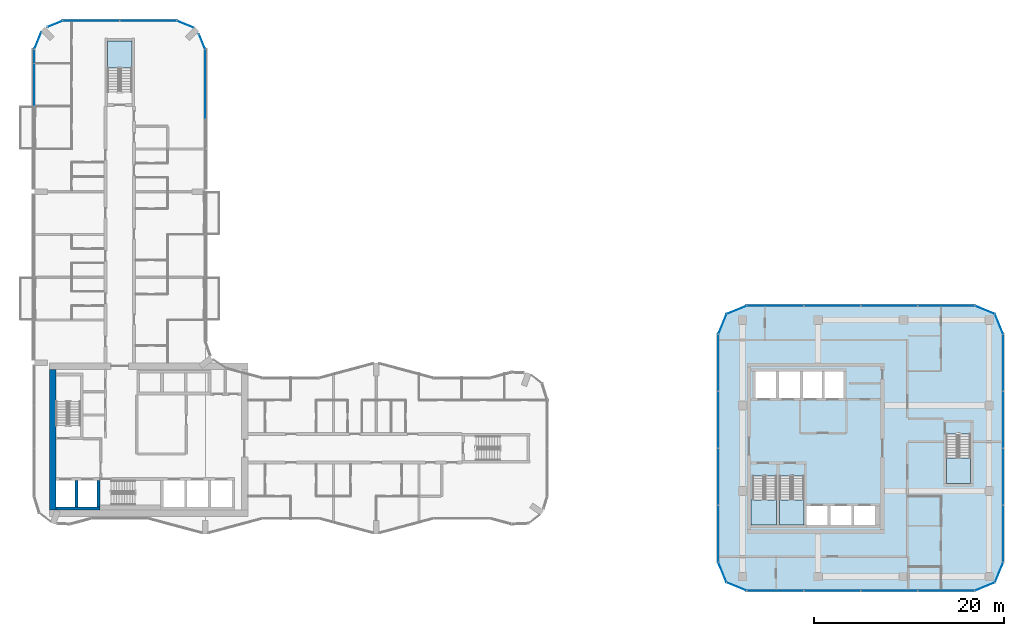
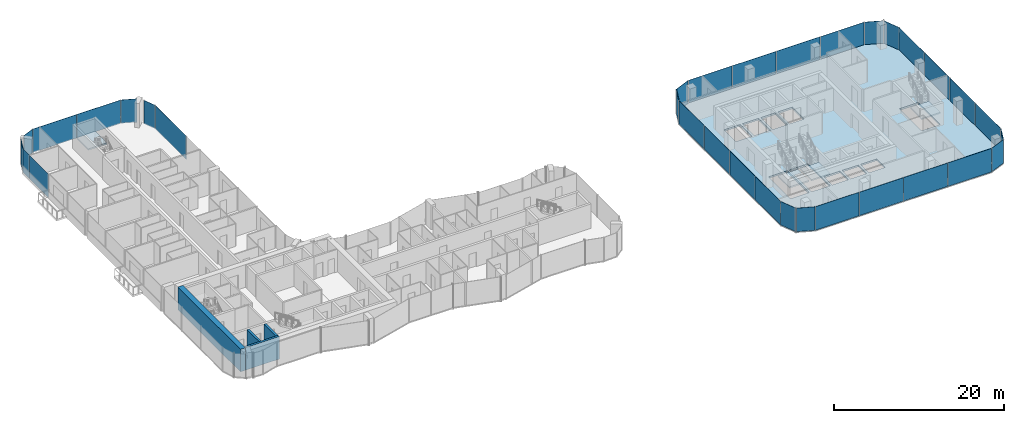
# One storey, part 12 of 23: 33 plates, 5 slabs, 4 walls, 23 elements without a shape of their own.
"""IFC4 building model written with IfcOpenShell, lengths in metres."""

from ifc_helpers import new_model, si_unit, direction, frame, frame_2d, origin, origin_2d, place, context, subcontext, project, spatial, polyline, rectangle, outline, extrude, material, layer, layer_set, type_object, element, aggregate, save


model = new_model("IFC4")

# Units and contexts
model_context = context("Model", 3, precision=1e-05, world=origin(), true_north=direction((0.0, 1.0)))
body_context = subcontext(model_context, "Body", "Model", "MODEL_VIEW")
ifc_project = project(units=[si_unit("LENGTHUNIT", "METRE"), si_unit("AREAUNIT", "SQUARE_METRE"), si_unit("VOLUMEUNIT", "CUBIC_METRE"), si_unit("PLANEANGLEUNIT", "RADIAN"), si_unit("MASSUNIT", "GRAM", prefix="KILO")], contexts=[model_context])

# Site, building, storey
site_placement = place(None, origin())
site = spatial("IfcSite", under=ifc_project, at=site_placement, CompositionType="ELEMENT")
building_placement = place(site_placement, origin())
building = spatial("IfcBuilding", under=site, at=building_placement, Name="Plateau Cross Towers", CompositionType="ELEMENT")
storey_placement = place(building_placement, frame((0.0, 0.0, 85.300048828125)))
storey = spatial("IfcBuildingStorey", under=building, at=storey_placement, Name="L21", CompositionType="ELEMENT", Elevation=85.300048828125)

# Curtain wall, plates
ifc_material_1 = material(Name="Dark low-iron glass", Category="glass")
ifc_layer_1 = layer(ifc_material_1, 0.239990234375)
ifc_layer_set_1 = layer_set([ifc_layer_1], Name="Dark low-iron glass")
curtain_wall_type_1 = type_object("IfcCurtainWallType", Name="Curtain wall office unitised CW-F", PredefinedType="NOTDEFINED", material=ifc_layer_set_1)
curtain_wall_1_placement = place(storey_placement, origin())
curtain_wall_1 = element("IfcCurtainWall", 1, at=curtain_wall_1_placement, inside=storey, type_object=curtain_wall_type_1, Name="ENV/B/L21/B750_-60", PredefinedType="NOTDEFINED")
ifc_layer_2 = layer(ifc_material_1, 0.028076171875)
ifc_layer_set_2 = layer_set([ifc_layer_2], Name="Dark low-iron glass")
plate_type_1 = type_object("IfcPlateType", Name="Glass panel 28 office unitised", PredefinedType="CURTAIN_PANEL", material=ifc_layer_set_2)
plate_1_placement = place(storey_placement, frame((78.0, -6.0, -0.1298828125), z_axis=(0.0, 0.0, 1.0), x_axis=(1.0, 0.0, 0.0)))
plate_1 = element("IfcPlate", 2, at=plate_1_placement, type_object=plate_type_1, Name="CW-F panel 1", PredefinedType="CURTAIN_PANEL", context=body_context, shape_type="SweptSolid", body=[
    extrude(rectangle(XDim=5.93994140625, YDim=0.028076171875, at=origin_2d()), origin(), (0.0, 0.0, 1.0), 3.3798828125),
])
plate_2_placement = place(storey_placement, frame((84.0, -6.0, -0.1298828125), z_axis=(0.0, 0.0, 1.0), x_axis=(1.0, 0.0, 0.0)))
plate_2 = element("IfcPlate", 3, at=plate_2_placement, type_object=plate_type_1, Name="CW-F panel 2", PredefinedType="CURTAIN_PANEL", context=body_context, shape_type="SweptSolid", body=[
    extrude(rectangle(XDim=5.93994140625, YDim=0.028076171875, at=origin_2d()), origin(), (0.0, 0.0, 1.0), 3.3798828125),
])
plate_3_placement = place(storey_placement, frame((90.0, -6.0, -0.1298828125), z_axis=(0.0, 0.0, 1.0), x_axis=(1.0, 0.0, 0.0)))
plate_3 = element("IfcPlate", 4, at=plate_3_placement, type_object=plate_type_1, Name="CW-F panel 3", PredefinedType="CURTAIN_PANEL", context=body_context, shape_type="SweptSolid", body=[
    extrude(rectangle(XDim=5.93994140625, YDim=0.028076171875, at=origin_2d()), origin(), (0.0, 0.0, 1.0), 3.3798828125),
])
plate_4_placement = place(storey_placement, frame((96.0, -6.0, -0.1298828125), z_axis=(0.0, 0.0, 1.0), x_axis=(1.0, 0.0, 0.0)))
plate_4 = element("IfcPlate", 5, at=plate_4_placement, type_object=plate_type_1, Name="CW-F panel 4", PredefinedType="CURTAIN_PANEL", context=body_context, shape_type="SweptSolid", body=[
    extrude(rectangle(XDim=5.93994140625, YDim=0.028076171875, at=origin_2d()), origin(), (0.0, 0.0, 1.0), 3.3798828125),
])
aggregate(curtain_wall_1, [plate_1, plate_2, plate_3, plate_4])

# Curtain wall, plate
curtain_wall_2_placement = place(storey_placement, origin())
curtain_wall_2 = element("IfcCurtainWall", 6, at=curtain_wall_2_placement, inside=storey, type_object=curtain_wall_type_1, Name="ENV/B/L21/B990_-60", PredefinedType="NOTDEFINED")
plate_5_placement = place(storey_placement, frame((100.060546875, -5.560546875, -0.1298828125), z_axis=(0.0, 0.0, 1.0), x_axis=(0.923879457699, 0.382683612978, 0.0)))
plate_5 = element("IfcPlate", 7, at=plate_5_placement, type_object=plate_type_1, Name="CW-F panel 1", PredefinedType="CURTAIN_PANEL", context=body_context, shape_type="SweptSolid", body=[
    extrude(rectangle(XDim=2.236083984375, YDim=0.028076171875, at=origin_2d()), origin(), (0.0, 0.0, 1.0), 3.3798828125),
])
aggregate(curtain_wall_2, [plate_5])

curtain_wall_3_placement = place(storey_placement, origin())
curtain_wall_3 = element("IfcCurtainWall", 8, at=curtain_wall_3_placement, inside=storey, type_object=curtain_wall_type_1, Name="ENV/B/L21/B1011_-51", PredefinedType="NOTDEFINED")
plate_6_placement = place(storey_placement, frame((101.560546875, -4.060546875, -0.1298828125), z_axis=(0.0, 0.0, 1.0), x_axis=(0.382683612978, 0.923879457699, 0.0)))
plate_6 = element("IfcPlate", 9, at=plate_6_placement, type_object=plate_type_1, Name="CW-F panel 1", PredefinedType="CURTAIN_PANEL", context=body_context, shape_type="SweptSolid", body=[
    extrude(rectangle(XDim=2.236083984375, YDim=0.028076171875, at=origin_2d()), origin(), (0.0, 0.0, 1.0), 3.3798828125),
])
aggregate(curtain_wall_3, [plate_6])

# Curtain wall, plates
curtain_wall_4_placement = place(storey_placement, origin())
curtain_wall_4 = element("IfcCurtainWall", 10, at=curtain_wall_4_placement, inside=storey, type_object=curtain_wall_type_1, Name="ENV/B/L21/B1020_-30", PredefinedType="NOTDEFINED")
plate_7_placement = place(storey_placement, frame((102.0, 0.0, -0.1298828125), z_axis=(0.0, 0.0, 1.0), x_axis=(0.0, 1.0, 0.0)))
plate_7 = element("IfcPlate", 11, at=plate_7_placement, type_object=plate_type_1, Name="CW-F panel 1", PredefinedType="CURTAIN_PANEL", context=body_context, shape_type="SweptSolid", body=[
    extrude(rectangle(XDim=5.93994140625, YDim=0.028076171875, at=origin_2d()), origin(), (0.0, 0.0, 1.0), 3.3798828125),
])
plate_8_placement = place(storey_placement, frame((102.0, 6.0, -0.1298828125), z_axis=(0.0, 0.0, 1.0), x_axis=(0.0, 1.0, 0.0)))
plate_8 = element("IfcPlate", 12, at=plate_8_placement, type_object=plate_type_1, Name="CW-F panel 2", PredefinedType="CURTAIN_PANEL", context=body_context, shape_type="SweptSolid", body=[
    extrude(rectangle(XDim=5.93994140625, YDim=0.028076171875, at=origin_2d()), origin(), (0.0, 0.0, 1.0), 3.3798828125),
])
plate_9_placement = place(storey_placement, frame((102.0, 12.0, -0.1298828125), z_axis=(0.0, 0.0, 1.0), x_axis=(0.0, 1.0, 0.0)))
plate_9 = element("IfcPlate", 13, at=plate_9_placement, type_object=plate_type_1, Name="CW-F panel 3", PredefinedType="CURTAIN_PANEL", context=body_context, shape_type="SweptSolid", body=[
    extrude(rectangle(XDim=5.93994140625, YDim=0.028076171875, at=origin_2d()), origin(), (0.0, 0.0, 1.0), 3.3798828125),
])
plate_10_placement = place(storey_placement, frame((102.0, 18.0, -0.1298828125), z_axis=(0.0, 0.0, 1.0), x_axis=(0.0, 1.0, 0.0)))
plate_10 = element("IfcPlate", 14, at=plate_10_placement, type_object=plate_type_1, Name="CW-F panel 4", PredefinedType="CURTAIN_PANEL", context=body_context, shape_type="SweptSolid", body=[
    extrude(rectangle(XDim=5.93994140625, YDim=0.028076171875, at=origin_2d()), origin(), (0.0, 0.0, 1.0), 3.3798828125),
])
aggregate(curtain_wall_4, [plate_7, plate_8, plate_9, plate_10])

# Curtain wall, plate
curtain_wall_5_placement = place(storey_placement, origin())
curtain_wall_5 = element("IfcCurtainWall", 15, at=curtain_wall_5_placement, inside=storey, type_object=curtain_wall_type_1, Name="ENV/B/L21/B1020_210", PredefinedType="NOTDEFINED")
plate_11_placement = place(storey_placement, frame((101.560546875, 22.060546875, -0.1298828125), z_axis=(0.0, 0.0, 1.0), x_axis=(-0.382683612978, 0.923879457699, 0.0)))
plate_11 = element("IfcPlate", 16, at=plate_11_placement, type_object=plate_type_1, Name="CW-F panel 1", PredefinedType="CURTAIN_PANEL", context=body_context, shape_type="SweptSolid", body=[
    extrude(rectangle(XDim=2.236083984375, YDim=0.028076171875, at=origin_2d()), origin(), (0.0, 0.0, 1.0), 3.3798828125),
])
aggregate(curtain_wall_5, [plate_11])

curtain_wall_6_placement = place(storey_placement, origin())
curtain_wall_6 = element("IfcCurtainWall", 17, at=curtain_wall_6_placement, inside=storey, type_object=curtain_wall_type_1, Name="ENV/B/L21/B1011_231", PredefinedType="NOTDEFINED")
plate_12_placement = place(storey_placement, frame((100.060546875, 23.560546875, -0.1298828125), z_axis=(0.0, 0.0, 1.0), x_axis=(-0.923879457699, 0.382683612978, 0.0)))
plate_12 = element("IfcPlate", 18, at=plate_12_placement, type_object=plate_type_1, Name="CW-F panel 1", PredefinedType="CURTAIN_PANEL", context=body_context, shape_type="SweptSolid", body=[
    extrude(rectangle(XDim=2.236083984375, YDim=0.028076171875, at=origin_2d()), origin(), (0.0, 0.0, 1.0), 3.3798828125),
])
aggregate(curtain_wall_6, [plate_12])

# Curtain wall, plates
curtain_wall_7_placement = place(storey_placement, origin())
curtain_wall_7 = element("IfcCurtainWall", 19, at=curtain_wall_7_placement, inside=storey, type_object=curtain_wall_type_1, Name="ENV/B/L21/B990_240", PredefinedType="NOTDEFINED")
plate_13_placement = place(storey_placement, frame((96.0, 24.0, -0.1298828125), z_axis=(0.0, 0.0, 1.0), x_axis=(-1.0, 0.0, 0.0)))
plate_13 = element("IfcPlate", 20, at=plate_13_placement, type_object=plate_type_1, Name="CW-F panel 1", PredefinedType="CURTAIN_PANEL", context=body_context, shape_type="SweptSolid", body=[
    extrude(rectangle(XDim=5.93994140625, YDim=0.028076171875, at=origin_2d()), origin(), (0.0, 0.0, 1.0), 3.3798828125),
])
plate_14_placement = place(storey_placement, frame((90.0, 24.0, -0.1298828125), z_axis=(0.0, 0.0, 1.0), x_axis=(-1.0, 0.0, 0.0)))
plate_14 = element("IfcPlate", 21, at=plate_14_placement, type_object=plate_type_1, Name="CW-F panel 2", PredefinedType="CURTAIN_PANEL", context=body_context, shape_type="SweptSolid", body=[
    extrude(rectangle(XDim=5.93994140625, YDim=0.028076171875, at=origin_2d()), origin(), (0.0, 0.0, 1.0), 3.3798828125),
])
plate_15_placement = place(storey_placement, frame((84.0, 24.0, -0.1298828125), z_axis=(0.0, 0.0, 1.0), x_axis=(-1.0, 0.0, 0.0)))
plate_15 = element("IfcPlate", 22, at=plate_15_placement, type_object=plate_type_1, Name="CW-F panel 3", PredefinedType="CURTAIN_PANEL", context=body_context, shape_type="SweptSolid", body=[
    extrude(rectangle(XDim=5.93994140625, YDim=0.028076171875, at=origin_2d()), origin(), (0.0, 0.0, 1.0), 3.3798828125),
])
plate_16_placement = place(storey_placement, frame((78.0, 24.0, -0.1298828125), z_axis=(0.0, 0.0, 1.0), x_axis=(-1.0, 0.0, 0.0)))
plate_16 = element("IfcPlate", 23, at=plate_16_placement, type_object=plate_type_1, Name="CW-F panel 4", PredefinedType="CURTAIN_PANEL", context=body_context, shape_type="SweptSolid", body=[
    extrude(rectangle(XDim=5.93994140625, YDim=0.028076171875, at=origin_2d()), origin(), (0.0, 0.0, 1.0), 3.3798828125),
])
aggregate(curtain_wall_7, [plate_13, plate_14, plate_15, plate_16])

# Curtain wall, plate
curtain_wall_8_placement = place(storey_placement, origin())
curtain_wall_8 = element("IfcCurtainWall", 24, at=curtain_wall_8_placement, inside=storey, type_object=curtain_wall_type_1, Name="ENV/B/L21/B750_240", PredefinedType="NOTDEFINED")
plate_17_placement = place(storey_placement, frame((73.939453125, 23.560546875, -0.1298828125), z_axis=(0.0, 0.0, 1.0), x_axis=(-0.923879457699, -0.382683612978, 0.0)))
plate_17 = element("IfcPlate", 25, at=plate_17_placement, type_object=plate_type_1, Name="CW-F panel 1", PredefinedType="CURTAIN_PANEL", context=body_context, shape_type="SweptSolid", body=[
    extrude(rectangle(XDim=2.236083984375, YDim=0.028076171875, at=origin_2d()), origin(), (0.0, 0.0, 1.0), 3.3798828125),
])
aggregate(curtain_wall_8, [plate_17])

curtain_wall_9_placement = place(storey_placement, origin())
curtain_wall_9 = element("IfcCurtainWall", 26, at=curtain_wall_9_placement, inside=storey, type_object=curtain_wall_type_1, Name="ENV/B/L21/B729_231", PredefinedType="NOTDEFINED")
plate_18_placement = place(storey_placement, frame((72.439453125, 22.060546875, -0.1298828125), z_axis=(0.0, 0.0, 1.0), x_axis=(-0.382683612978, -0.923879457699, 0.0)))
plate_18 = element("IfcPlate", 27, at=plate_18_placement, type_object=plate_type_1, Name="CW-F panel 1", PredefinedType="CURTAIN_PANEL", context=body_context, shape_type="SweptSolid", body=[
    extrude(rectangle(XDim=2.236083984375, YDim=0.028076171875, at=origin_2d()), origin(), (0.0, 0.0, 1.0), 3.3798828125),
])
aggregate(curtain_wall_9, [plate_18])

# Curtain wall, plates
curtain_wall_10_placement = place(storey_placement, origin())
curtain_wall_10 = element("IfcCurtainWall", 28, at=curtain_wall_10_placement, inside=storey, type_object=curtain_wall_type_1, Name="ENV/B/L21/B720_210", PredefinedType="NOTDEFINED")
plate_19_placement = place(storey_placement, frame((72.0, 18.0, -0.1298828125), z_axis=(0.0, 0.0, 1.0), x_axis=(0.0, -1.0, 0.0)))
plate_19 = element("IfcPlate", 29, at=plate_19_placement, type_object=plate_type_1, Name="CW-F panel 1", PredefinedType="CURTAIN_PANEL", context=body_context, shape_type="SweptSolid", body=[
    extrude(rectangle(XDim=5.93994140625, YDim=0.028076171875, at=origin_2d()), origin(), (0.0, 0.0, 1.0), 3.3798828125),
])
plate_20_placement = place(storey_placement, frame((72.0, 12.0, -0.1298828125), z_axis=(0.0, 0.0, 1.0), x_axis=(0.0, -1.0, 0.0)))
plate_20 = element("IfcPlate", 30, at=plate_20_placement, type_object=plate_type_1, Name="CW-F panel 2", PredefinedType="CURTAIN_PANEL", context=body_context, shape_type="SweptSolid", body=[
    extrude(rectangle(XDim=5.93994140625, YDim=0.028076171875, at=origin_2d()), origin(), (0.0, 0.0, 1.0), 3.3798828125),
])
plate_21_placement = place(storey_placement, frame((72.0, 6.0, -0.1298828125), z_axis=(0.0, 0.0, 1.0), x_axis=(0.0, -1.0, 0.0)))
plate_21 = element("IfcPlate", 31, at=plate_21_placement, type_object=plate_type_1, Name="CW-F panel 3", PredefinedType="CURTAIN_PANEL", context=body_context, shape_type="SweptSolid", body=[
    extrude(rectangle(XDim=5.93994140625, YDim=0.028076171875, at=origin_2d()), origin(), (0.0, 0.0, 1.0), 3.3798828125),
])
plate_22_placement = place(storey_placement, frame((72.0, 0.0, -0.1298828125), z_axis=(0.0, 0.0, 1.0), x_axis=(0.0, -1.0, 0.0)))
plate_22 = element("IfcPlate", 32, at=plate_22_placement, type_object=plate_type_1, Name="CW-F panel 4", PredefinedType="CURTAIN_PANEL", context=body_context, shape_type="SweptSolid", body=[
    extrude(rectangle(XDim=5.93994140625, YDim=0.028076171875, at=origin_2d()), origin(), (0.0, 0.0, 1.0), 3.3798828125),
])
aggregate(curtain_wall_10, [plate_19, plate_20, plate_21, plate_22])

# Curtain wall, plate
curtain_wall_11_placement = place(storey_placement, origin())
curtain_wall_11 = element("IfcCurtainWall", 33, at=curtain_wall_11_placement, inside=storey, type_object=curtain_wall_type_1, Name="ENV/B/L21/B720_-30", PredefinedType="NOTDEFINED")
plate_23_placement = place(storey_placement, frame((72.439453125, -4.060546875, -0.1298828125), z_axis=(0.0, 0.0, 1.0), x_axis=(0.382683612978, -0.923879457699, 0.0)))
plate_23 = element("IfcPlate", 34, at=plate_23_placement, type_object=plate_type_1, Name="CW-F panel 1", PredefinedType="CURTAIN_PANEL", context=body_context, shape_type="SweptSolid", body=[
    extrude(rectangle(XDim=2.236083984375, YDim=0.028076171875, at=origin_2d()), origin(), (0.0, 0.0, 1.0), 3.3798828125),
])
aggregate(curtain_wall_11, [plate_23])

curtain_wall_12_placement = place(storey_placement, origin())
curtain_wall_12 = element("IfcCurtainWall", 35, at=curtain_wall_12_placement, inside=storey, type_object=curtain_wall_type_1, Name="ENV/B/L21/B729_-51", PredefinedType="NOTDEFINED")
plate_24_placement = place(storey_placement, frame((73.939453125, -5.560546875, -0.1298828125), z_axis=(0.0, 0.0, 1.0), x_axis=(0.923879457699, -0.382683612978, 0.0)))
plate_24 = element("IfcPlate", 36, at=plate_24_placement, type_object=plate_type_1, Name="CW-F panel 1", PredefinedType="CURTAIN_PANEL", context=body_context, shape_type="SweptSolid", body=[
    extrude(rectangle(XDim=2.236083984375, YDim=0.028076171875, at=origin_2d()), origin(), (0.0, 0.0, 1.0), 3.3798828125),
])
aggregate(curtain_wall_12, [plate_24])

ifc_layer_3 = layer(ifc_material_1, 0.239990234375)
ifc_layer_set_3 = layer_set([ifc_layer_3], Name="Dark low-iron glass")
curtain_wall_type_2 = type_object("IfcCurtainWallType", Name="Curtain wall flush unitised CW-B", PredefinedType="NOTDEFINED", material=ifc_layer_set_3)
curtain_wall_13_placement = place(storey_placement, origin())
curtain_wall_13 = element("IfcCurtainWall", 37, at=curtain_wall_13_placement, inside=storey, type_object=curtain_wall_type_2, Name="ENV/A/L21/A180_363", PredefinedType="NOTDEFINED")
ifc_layer_4 = layer(ifc_material_1, 0.031982421875)
ifc_layer_set_4 = layer_set([ifc_layer_4], Name="Dark low-iron glass")
plate_type_2 = type_object("IfcPlateType", Name="Glass panel 32 flush unitised", PredefinedType="CURTAIN_PANEL", material=ifc_layer_set_4)
plate_25_placement = place(storey_placement, frame((18.0, 47.324951171875, -0.1298828125), z_axis=(0.0, 0.0, 1.0), x_axis=(0.0, 1.0, 0.0)))
plate_25 = element("IfcPlate", 38, at=plate_25_placement, type_object=plate_type_2, Name="CW-B panel 2", PredefinedType="CURTAIN_PANEL", context=body_context, shape_type="SweptSolid", body=[
    extrude(rectangle(XDim=7.2900390625, YDim=0.031982421875, at=origin_2d()), origin(), (0.0, 0.0, 1.0), 3.3798828125),
])
aggregate(curtain_wall_13, [plate_25])

curtain_wall_14_placement = place(storey_placement, origin())
curtain_wall_14 = element("IfcCurtainWall", 39, at=curtain_wall_14_placement, inside=storey, type_object=curtain_wall_type_2, Name="ENV/A/L21/A180_510", PredefinedType="NOTDEFINED")
plate_26_placement = place(storey_placement, frame((17.66943359375, 51.79833984375, -0.1298828125), z_axis=(0.0, 0.0, 1.0), x_axis=(-0.382683612978, 0.923879457699, 0.0)))
plate_26 = element("IfcPlate", 40, at=plate_26_placement, type_object=plate_type_2, Name="CW-B panel 1", PredefinedType="CURTAIN_PANEL", context=body_context, shape_type="SweptSolid", body=[
    extrude(rectangle(XDim=1.668212890625, YDim=0.031982421875, at=origin_2d()), origin(), (0.0, 0.0, 1.0), 3.3798828125),
])
aggregate(curtain_wall_14, [plate_26])

curtain_wall_15_placement = place(storey_placement, origin())
curtain_wall_15 = element("IfcCurtainWall", 41, at=curtain_wall_15_placement, inside=storey, type_object=curtain_wall_type_2, Name="ENV/A/L21/A168_533", PredefinedType="NOTDEFINED")
plate_27_placement = place(storey_placement, frame((15.90283203125, 53.6259765625, -0.1298828125), z_axis=(0.0, 0.0, 1.0), x_axis=(-0.923879457699, 0.382683612978, 0.0)))
plate_27 = element("IfcPlate", 42, at=plate_27_placement, type_object=plate_type_2, Name="CW-B panel 1", PredefinedType="CURTAIN_PANEL", context=body_context, shape_type="SweptSolid", body=[
    extrude(rectangle(XDim=1.894775390625, YDim=0.031982421875, at=origin_2d()), origin(), (0.0, 0.0, 1.0), 3.3798828125),
])
aggregate(curtain_wall_15, [plate_27])

# Curtain wall, plates
curtain_wall_16_placement = place(storey_placement, origin())
curtain_wall_16 = element("IfcCurtainWall", 43, at=curtain_wall_16_placement, inside=storey, type_object=curtain_wall_type_2, Name="ENV/A/L21/A150_540", PredefinedType="NOTDEFINED")
plate_28_placement = place(storey_placement, frame((12.0, 54.0, -0.1298828125), z_axis=(0.0, 0.0, 1.0), x_axis=(-1.0, 0.0, 0.0)))
plate_28 = element("IfcPlate", 44, at=plate_28_placement, type_object=plate_type_2, Name="CW-B panel 1", PredefinedType="CURTAIN_PANEL", context=body_context, shape_type="SweptSolid", body=[
    extrude(rectangle(XDim=5.93994140625, YDim=0.031982421875, at=origin_2d()), origin(), (0.0, 0.0, 1.0), 3.3798828125),
])
plate_29_placement = place(storey_placement, frame((6.0, 54.0, -0.1298828125), z_axis=(0.0, 0.0, 1.0), x_axis=(-1.0, 0.0, 0.0)))
plate_29 = element("IfcPlate", 45, at=plate_29_placement, type_object=plate_type_2, Name="CW-B panel 2", PredefinedType="CURTAIN_PANEL", context=body_context, shape_type="SweptSolid", body=[
    extrude(rectangle(XDim=5.93994140625, YDim=0.031982421875, at=origin_2d()), origin(), (0.0, 0.0, 1.0), 3.3798828125),
])
aggregate(curtain_wall_16, [plate_28, plate_29])

# Curtain wall, plate
curtain_wall_17_placement = place(storey_placement, origin())
curtain_wall_17 = element("IfcCurtainWall", 46, at=curtain_wall_17_placement, inside=storey, type_object=curtain_wall_type_2, Name="ENV/A/L21/A30_540", PredefinedType="NOTDEFINED")
plate_30_placement = place(storey_placement, frame((2.20166015625, 53.66943359375, -0.1298828125), z_axis=(0.0, 0.0, 1.0), x_axis=(-0.923879457699, -0.382683612978, 0.0)))
plate_30 = element("IfcPlate", 47, at=plate_30_placement, type_object=plate_type_2, Name="CW-B panel 1", PredefinedType="CURTAIN_PANEL", context=body_context, shape_type="SweptSolid", body=[
    extrude(rectangle(XDim=1.668212890625, YDim=0.031982421875, at=origin_2d()), origin(), (0.0, 0.0, 1.0), 3.3798828125),
])
aggregate(curtain_wall_17, [plate_30])

curtain_wall_18_placement = place(storey_placement, origin())
curtain_wall_18 = element("IfcCurtainWall", 48, at=curtain_wall_18_placement, inside=storey, type_object=curtain_wall_type_2, Name="ENV/A/L21/A7_528", PredefinedType="NOTDEFINED")
plate_31_placement = place(storey_placement, frame((0.3740234375, 51.90283203125, -0.1298828125), z_axis=(0.0, 0.0, 1.0), x_axis=(-0.382683612978, -0.923879457699, 0.0)))
plate_31 = element("IfcPlate", 49, at=plate_31_placement, type_object=plate_type_2, Name="CW-B panel 1", PredefinedType="CURTAIN_PANEL", context=body_context, shape_type="SweptSolid", body=[
    extrude(rectangle(XDim=1.894775390625, YDim=0.031982421875, at=origin_2d()), origin(), (0.0, 0.0, 1.0), 3.3798828125),
])
aggregate(curtain_wall_18, [plate_31])

# Curtain wall, plates
curtain_wall_19_placement = place(storey_placement, origin())
curtain_wall_19 = element("IfcCurtainWall", 50, at=curtain_wall_19_placement, inside=storey, type_object=curtain_wall_type_2, Name="ENV/A/L21/A0_510", PredefinedType="NOTDEFINED")
plate_32_placement = place(storey_placement, frame((0.0, 50.25, -0.1298828125), z_axis=(0.0, 0.0, 1.0), x_axis=(0.0, -1.0, 0.0)))
plate_32 = element("IfcPlate", 51, at=plate_32_placement, type_object=plate_type_2, Name="CW-B panel 1", PredefinedType="CURTAIN_PANEL", context=body_context, shape_type="SweptSolid", body=[
    extrude(rectangle(XDim=1.43994140625, YDim=0.031982421875, at=origin_2d()), origin(), (0.0, 0.0, 1.0), 3.3798828125),
])
plate_33_placement = place(storey_placement, frame((0.0, 47.2548828125, -0.1298828125), z_axis=(0.0, 0.0, 1.0), x_axis=(0.0, -1.0, 0.0)))
plate_33 = element("IfcPlate", 52, at=plate_33_placement, type_object=plate_type_2, Name="CW-B panel 2", PredefinedType="CURTAIN_PANEL", context=body_context, shape_type="SweptSolid", body=[
    extrude(rectangle(XDim=4.429931640625, YDim=0.031982421875, at=origin_2d()), origin(), (0.0, 0.0, 1.0), 3.3798828125),
])
aggregate(curtain_wall_19, [plate_32, plate_33])

# Slab
ifc_material_2 = material(Name="Concrete C40/50", Category="concrete")
ifc_layer_5 = layer(ifc_material_2, 0.25)
ifc_layer_set_5 = layer_set([ifc_layer_5], Name="Concrete C40/50")
slab_type_1 = type_object("IfcSlabType", Name="Post-tensioned flat plate slab 250", PredefinedType="FLOOR", material=ifc_layer_set_5)
slab_1_placement = place(storey_placement, frame((0.0, 0.0, -0.25)))
element("IfcSlab", 53, at=slab_1_placement, inside=storey, type_object=slab_type_1, Name="SL-B-L21", PredefinedType="FLOOR", context=body_context, shape_type="SweptSolid", body=[
    extrude(outline(polyline([(72.878662109375, -5.121337890625), (72.0, -3.0), (72.0, 21.0), (72.878662109375, 23.121337890625), (75.0, 24.0), (99.0, 24.0), (101.121337890625, 23.121337890625), (102.0, 21.0), (102.0, -3.0), (101.121337890625, -5.121337890625), (99.0, -6.0), (75.0, -6.0), (72.878662109375, -5.121337890625)]), holes=[polyline([(75.60009765625, 0.89990234375), (78.14990234375, 0.89990234375), (78.14990234375, 6.10009765625), (75.60009765625, 6.10009765625), (75.60009765625, 0.89990234375)]), polyline([(78.10009765625, 14.300048828125), (78.10009765625, 17.10009765625), (75.89990234375, 17.10009765625), (75.89990234375, 14.300048828125), (78.10009765625, 14.300048828125)]), polyline([(83.5, 0.89990234375), (83.5, 2.89990234375), (81.300048828125, 2.89990234375), (81.300048828125, 0.89990234375), (83.5, 0.89990234375)]), polyline([(86.0, 0.89990234375), (86.0, 2.89990234375), (83.800048828125, 2.89990234375), (83.800048828125, 0.89990234375), (86.0, 0.89990234375)]), polyline([(88.5, 0.89990234375), (88.5, 2.89990234375), (86.300048828125, 2.89990234375), (86.300048828125, 0.89990234375), (88.5, 0.89990234375)]), polyline([(78.449951171875, 0.89990234375), (81.0, 0.89990234375), (81.0, 6.10009765625), (78.449951171875, 6.10009765625), (78.449951171875, 0.89990234375)]), polyline([(96.0, 5.300048828125), (98.550048828125, 5.300048828125), (98.550048828125, 10.5), (96.0, 10.5), (96.0, 5.300048828125)]), polyline([(80.60009765625, 14.300048828125), (80.60009765625, 17.10009765625), (78.39990234375, 17.10009765625), (78.39990234375, 14.300048828125), (80.60009765625, 14.300048828125)]), polyline([(80.89990234375, 14.300048828125), (82.89990234375, 14.300048828125), (82.89990234375, 17.10009765625), (80.89990234375, 17.10009765625), (80.89990234375, 14.300048828125)]), polyline([(83.199951171875, 14.300048828125), (85.199951171875, 14.300048828125), (85.199951171875, 17.10009765625), (83.199951171875, 17.10009765625), (83.199951171875, 14.300048828125)])]), origin(), (0.0, 0.0, 1.0), 0.25),
])

# Stair, slab
stair_type = type_object("IfcStairType", Name="ST-TWR", PredefinedType="HALF_TURN_STAIR", material=ifc_material_2)
stair_1_placement = place(storey_placement, origin())
stair_1 = element("IfcStair", 54, at=stair_1_placement, inside=storey, type_object=stair_type, Name="L21 Protected Exit Stair SB-1", PredefinedType="HALF_TURN_STAIR")
ifc_layer_6 = layer(ifc_material_2, 0.199951171875)
ifc_layer_set_6 = layer_set([ifc_layer_6], Name="Concrete C40/50")
slab_type_2 = type_object("IfcSlabType", Name="SL-LANDING", PredefinedType="LANDING", material=ifc_layer_set_6)
slab_2_placement = place(storey_placement, frame((0.0, 0.0, 1.550048828125)))
slab_2 = element("IfcSlab", 55, at=slab_2_placement, type_object=slab_type_2, Name="SB-1 landing 1", PredefinedType="LANDING", context=body_context, shape_type="SweptSolid", body=[
    extrude(outline(polyline([(75.449951171875, 3.580078125), (75.449951171875, 0.89990234375), (78.14990234375, 0.89990234375), (78.14990234375, 3.580078125), (75.449951171875, 3.580078125)])), origin(), (0.0, 0.0, 1.0), 0.199951171875),
])
aggregate(stair_1, [slab_2])

stair_2_placement = place(storey_placement, origin())
stair_2 = element("IfcStair", 56, at=stair_2_placement, inside=storey, type_object=stair_type, Name="L21 Protected Exit Stair SB-2", PredefinedType="HALF_TURN_STAIR")
slab_3_placement = place(storey_placement, frame((0.0, 0.0, 1.550048828125)))
slab_3 = element("IfcSlab", 57, at=slab_3_placement, type_object=slab_type_2, Name="SB-2 landing 1", PredefinedType="LANDING", context=body_context, shape_type="SweptSolid", body=[
    extrude(outline(polyline([(78.449951171875, 3.580078125), (78.449951171875, 0.89990234375), (81.0, 0.89990234375), (81.0, 3.580078125), (78.449951171875, 3.580078125)])), origin(), (0.0, 0.0, 1.0), 0.199951171875),
])
aggregate(stair_2, [slab_3])

stair_3_placement = place(storey_placement, origin())
stair_3 = element("IfcStair", 58, at=stair_3_placement, inside=storey, type_object=stair_type, Name="L21 Protected Exit Stair SB-3", PredefinedType="HALF_TURN_STAIR")
slab_4_placement = place(storey_placement, frame((0.0, 0.0, 1.550048828125)))
slab_4 = element("IfcSlab", 59, at=slab_4_placement, type_object=slab_type_2, Name="SB-3 landing 1", PredefinedType="LANDING", context=body_context, shape_type="SweptSolid", body=[
    extrude(outline(polyline([(96.0, 7.97998046875), (96.0, 5.300048828125), (98.550048828125, 5.300048828125), (98.550048828125, 7.97998046875), (96.0, 7.97998046875)])), origin(), (0.0, 0.0, 1.0), 0.199951171875),
])
aggregate(stair_3, [slab_4])

stair_4_placement = place(storey_placement, origin())
stair_4 = element("IfcStair", 60, at=stair_4_placement, inside=storey, type_object=stair_type, Name="L21 Protected Exit Stair N", PredefinedType="HALF_TURN_STAIR")
slab_5_placement = place(storey_placement, frame((0.0, 0.0, 1.550048828125)))
slab_5 = element("IfcSlab", 61, at=slab_5_placement, type_object=slab_type_2, Name="ES-N landing 1", PredefinedType="LANDING", context=body_context, shape_type="SweptSolid", body=[
    extrude(outline(polyline([(10.27490234375, 49.02001953125), (10.27490234375, 51.85009765625), (7.72509765625, 51.85009765625), (7.72509765625, 49.02001953125), (10.27490234375, 49.02001953125)])), origin(), (0.0, 0.0, 1.0), 0.199951171875),
])
aggregate(stair_4, [slab_5])

# Walls
ifc_material_3 = material(Name="Concrete C60/75", Category="concrete")
ifc_layer_7 = layer(ifc_material_3, 0.300048828125)
ifc_layer_set_7 = layer_set([ifc_layer_7], Name="Concrete C60/75")
wall_type_1 = type_object("IfcWallType", Name="Core shaft wall 300", PredefinedType="SHEAR", material=ifc_layer_set_7)
wall_1_placement = place(storey_placement, frame((2.300048828125, 2.64990234375, 0.0), z_axis=(0.0, 0.0, 1.0), x_axis=(1.0, 0.0, 0.0)))
element("IfcWall", 62, at=wall_1_placement, inside=storey, type_object=wall_type_1, Name="A-sb-back1@L21", PredefinedType="SHEAR", context=body_context, shape_type="SweptSolid", body=[
    extrude(rectangle(XDim=4.599853515625, YDim=0.300048828125, at=frame_2d((2.2998046875, 0.0))), origin(), (0.0, 0.0, 1.0), 3.25),
])
for number, where, z_axis, x_axis, name in (
    (63, (4.449951171875, 2.800048828125, 0.0), (0.0, 0.0, 1.0), (0.0, 1.0, 0.0), "A-sb-v1@L21"),
    (64, (6.75, 2.800048828125, 0.0), (0.0, 0.0, 1.0), (0.0, 1.0, 0.0), "A-sb-v2@L21"),
):
    element("IfcWall", number, at=place(storey_placement, frame(where, z_axis=z_axis, x_axis=x_axis)), inside=storey, type_object=wall_type_1, Name=name, PredefinedType="SHEAR", context=body_context, shape_type="SweptSolid", body=[
        extrude(rectangle(XDim=2.800048828125, YDim=0.300048828125, at=frame_2d((1.39990234375, 0.0))), origin(), (0.0, 0.0, 1.0), 3.25),
    ])
ifc_layer_8 = layer(ifc_material_3, 0.699951171875)
ifc_layer_set_8 = layer_set([ifc_layer_8], Name="Concrete C60/75")
wall_type_2 = type_object("IfcWallType", Name="Core shell wall 700", PredefinedType="SHEAR", material=ifc_layer_set_8)
wall_2_placement = place(storey_placement, frame((1.949951171875, 2.5, 0.0), z_axis=(0.0, 0.0, 1.0), x_axis=(0.0, 1.0, 0.0)))
element("IfcWall", 65, at=wall_2_placement, inside=storey, type_object=wall_type_2, Name="A-core-W@L21", PredefinedType="SHEAR", context=body_context, shape_type="SweptSolid", body=[
    extrude(rectangle(XDim=14.800048828125, YDim=0.699951171875, at=frame_2d((7.39990234375, 0.0))), origin(), (0.0, 0.0, 1.0), 3.25),
])

save(model, "model.ifc")
